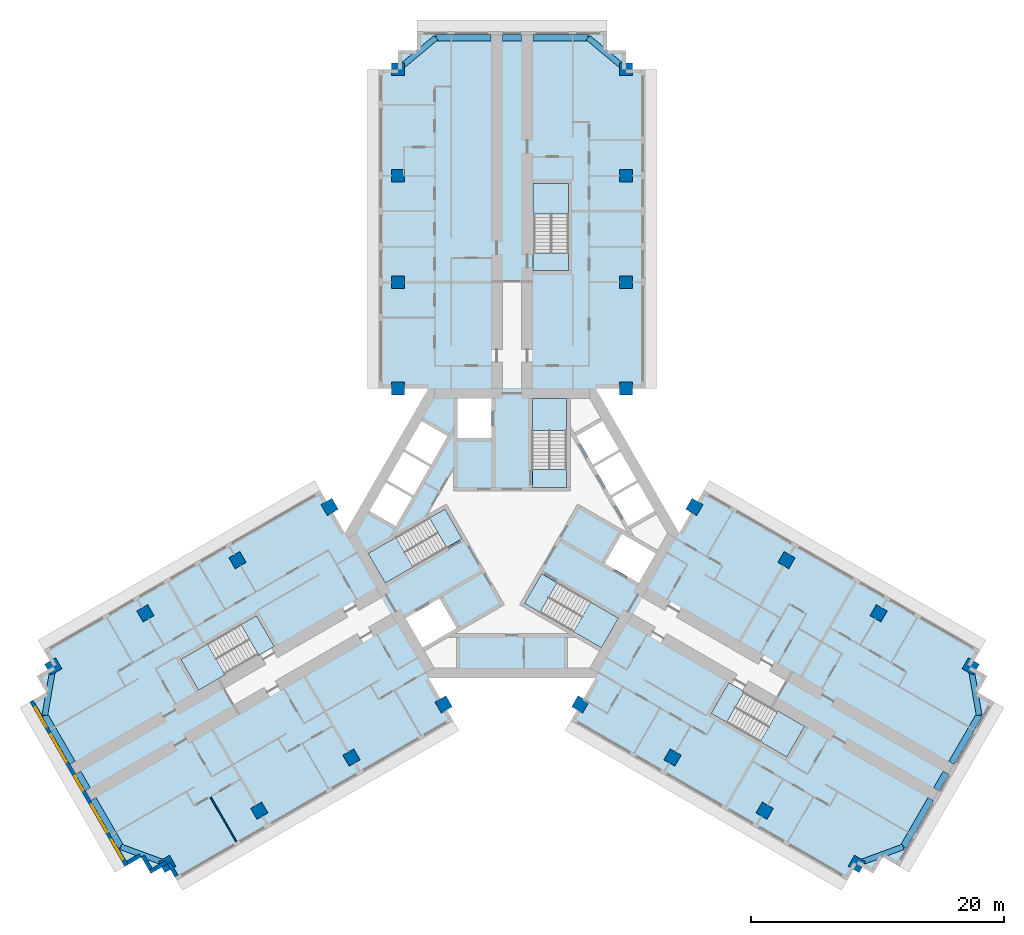
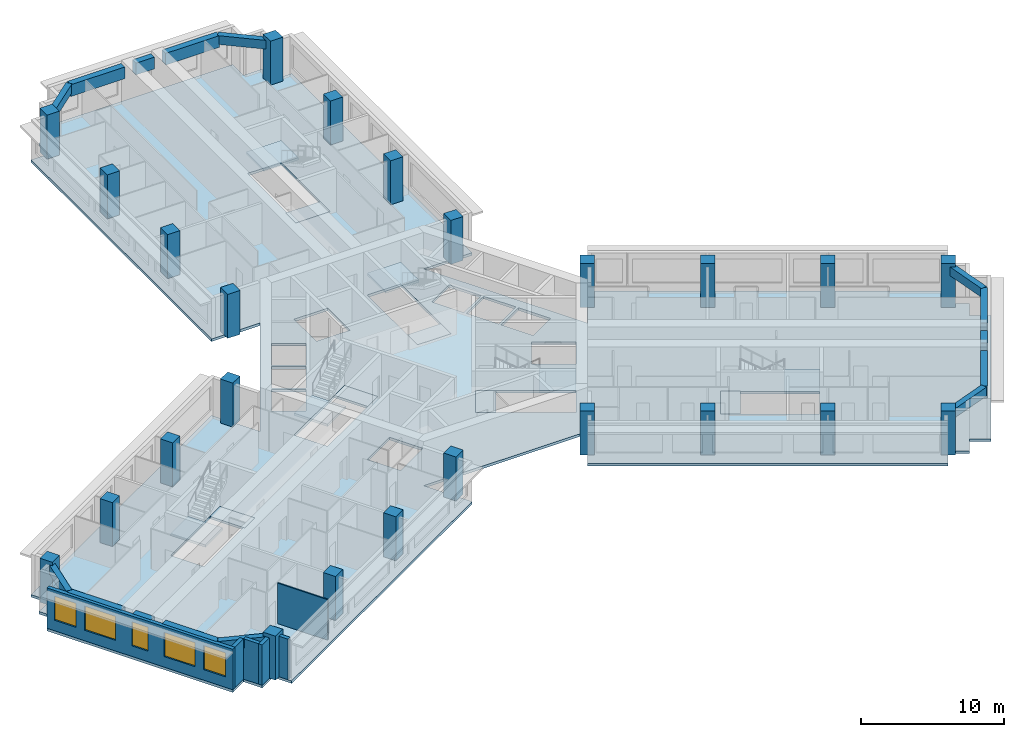
# One storey, part 1 of 12: 24 columns, 15 beams, 13 slabs, 6 walls, 5 windows, 5 openings, 6 elements without a shape of their own.
"""IFC4 building model written with IfcOpenShell, lengths in metres."""

import ifcopenshell
import ifcopenshell.guid

model = None  # the IFC model being written
_history = None  # IfcOwnerHistory: only IFC2X3 demands one
_inside = {}  # id of a spatial element -> (the spatial element, [elements in it])
_under = {}  # id of a project, library or spatial element -> (it, [spatial elements below it])
_declared = {}  # id of a project -> (the project, [libraries it declares])
_typed = {}  # id of a type object -> (the type object, [elements of that type])
_made_of = {}  # id of a material, layer set ... -> (it, [elements and type objects made of it])


def new_model(schema):
    """Start an empty IFC model of exactly this schema.

    Asked for "IFC4X3", IfcOpenShell would pick the latest addendum, in which some entities
    have other attributes; the version numbers below select the first issue.
    IFC2X3 requires an IfcOwnerHistory on every rooted entity: one is made here for all.
    """
    global model, _history
    if schema == "IFC4X3":
        model = ifcopenshell.file(schema_version=(4, 3, 0, 0))
    else:
        model = ifcopenshell.file(schema=schema)
    _inside.clear()
    _under.clear()
    _declared.clear()
    _typed.clear()
    _made_of.clear()
    _history = None
    if model.schema == "IFC2X3":
        org = make("IfcOrganization", Name="unknown")
        user = make(
            "IfcPersonAndOrganization",
            ThePerson=make("IfcPerson", FamilyName="unknown"),
            TheOrganization=org,
        )
        app = make(
            "IfcApplication",
            ApplicationDeveloper=org,
            Version="unknown",
            ApplicationFullName="unknown",
            ApplicationIdentifier="unknown",
        )
        _history = make(
            "IfcOwnerHistory",
            OwningUser=user,
            OwningApplication=app,
            ChangeAction="ADDED",
            CreationDate=0,
        )
    return model


def make(cls, **values):
    """One entity of the class cls with the attributes given. An attribute that is None is left unset."""
    return model.create_entity(
        cls, **{name: value for name, value in values.items() if value is not None}
    )


def rooted(cls, **values):
    """An entity with a GlobalId (a new one), such as an element, a storey or a relation."""
    return make(cls, GlobalId=ifcopenshell.guid.new(), OwnerHistory=_history, **values)


def si_unit(unit_type, name, prefix=None):
    """IfcSIUnit, for example si_unit("LENGTHUNIT", "METRE", prefix="MILLI")."""
    return make("IfcSIUnit", UnitType=unit_type, Prefix=prefix, Name=name)


def assignment(units):
    """IfcUnitAssignment: the units of a project."""
    return None if units is None else make("IfcUnitAssignment", Units=units)


def point(xyz):
    """IfcCartesianPoint."""
    return None if xyz is None else make("IfcCartesianPoint", Coordinates=xyz)


def direction(xyz):
    """IfcDirection."""
    return None if xyz is None else make("IfcDirection", DirectionRatios=xyz)


def frame(location, z_axis=None, x_axis=None):
    """IfcAxis2Placement3D, a coordinate frame: its origin and axes. An axis left out is left unset."""
    return make(
        "IfcAxis2Placement3D",
        Location=point(location),
        Axis=direction(z_axis),
        RefDirection=direction(x_axis),
    )


def frame_2d(location, x_axis=None):
    """IfcAxis2Placement2D, a coordinate frame in the plane: its origin and x axis."""
    return make(
        "IfcAxis2Placement2D", Location=point(location), RefDirection=direction(x_axis)
    )


def origin():
    """The frame at (0, 0, 0) with its axes left unset."""
    return frame((0.0, 0.0, 0.0))


def origin_2d():
    """The frame at (0, 0) in the plane with its x axis left unset."""
    return frame_2d((0.0, 0.0))


def place(relative_to, where):
    """IfcLocalPlacement: puts the frame where relative to a parent placement (None: the world)."""
    return make(
        "IfcLocalPlacement", PlacementRelTo=relative_to, RelativePlacement=where
    )


def context(
    kind, dimensions, precision=None, world=None, true_north=None, identifier=None
):
    """IfcGeometricRepresentationContext, for example the 3D "Model" context."""
    return make(
        "IfcGeometricRepresentationContext",
        ContextIdentifier=identifier,
        ContextType=kind,
        CoordinateSpaceDimension=dimensions,
        Precision=precision,
        WorldCoordinateSystem=world,
        TrueNorth=true_north,
    )


def subcontext(parent, identifier, kind, view, scale=None):
    """IfcGeometricRepresentationSubContext, for example "Body" below "Model"."""
    return make(
        "IfcGeometricRepresentationSubContext",
        ContextIdentifier=identifier,
        ContextType=kind,
        ParentContext=parent,
        TargetScale=scale,
        TargetView=view,
    )


def project(units=None, contexts=None):
    """IfcProject with its units and contexts."""
    return rooted(
        "IfcProject",
        Name="project",
        RepresentationContexts=contexts,
        UnitsInContext=assignment(units),
    )


def spatial(cls, under=None, at=None, **own):
    """A site, building, storey or space (cls), placed at a placement, below another one or the project."""
    s = rooted(cls, ObjectPlacement=at, **own)
    if under is not None:
        _under.setdefault(under.id(), (under, []))[1].append(s)
    return s


def polyline(points):
    """IfcPolyline through the points."""
    return make("IfcPolyline", Points=[point(p) for p in points])


def profile(cls, at=None, kind="AREA", **sizes):
    """A parametric profile (cls). Its sizes go by their IFC names, for example OverallWidth=200.0."""
    return make(cls, ProfileType=kind, Position=at, **sizes)


def rectangle(**sizes):
    """IfcRectangleProfileDef."""
    return profile("IfcRectangleProfileDef", **sizes)


def outline(outer, holes=None, kind="AREA"):
    """IfcArbitraryClosedProfileDef: a profile drawn as a closed curve; with holes, ...WithVoids."""
    if holes is None:
        return make("IfcArbitraryClosedProfileDef", ProfileType=kind, OuterCurve=outer)
    return make(
        "IfcArbitraryProfileDefWithVoids",
        ProfileType=kind,
        OuterCurve=outer,
        InnerCurves=holes,
    )


def extrude(swept, where, along, depth):
    """IfcExtrudedAreaSolid: the profile swept, set in the frame where, extruded along a direction by depth."""
    return make(
        "IfcExtrudedAreaSolid",
        SweptArea=swept,
        Position=where,
        ExtrudedDirection=direction(along),
        Depth=depth,
    )


def shape(context_of_items, identifier, shape_type, items):
    """IfcShapeRepresentation: the items that make up one representation, for example the "Body"."""
    return make(
        "IfcShapeRepresentation",
        ContextOfItems=context_of_items,
        RepresentationIdentifier=identifier,
        RepresentationType=shape_type,
        Items=items,
    )


def material(Name=None, Category=None):
    """IfcMaterial."""
    return make("IfcMaterial", Name=Name, Category=Category)


def layer(
    of_material, thickness, ventilated=None, Name=None, Category=None, Priority=None
):
    """IfcMaterialLayer: one layer of a wall or slab, of a material (None: an air gap)."""
    return make(
        "IfcMaterialLayer",
        Material=of_material,
        LayerThickness=thickness,
        IsVentilated=ventilated,
        Name=Name,
        Category=Category,
        Priority=Priority,
    )


def layer_set(layers, Name=None):
    """IfcMaterialLayerSet."""
    return make("IfcMaterialLayerSet", MaterialLayers=layers, LayerSetName=Name)


def material_profile(
    of_material, cross_section, Name=None, Category=None, Priority=None
):
    """IfcMaterialProfile: a cross section and its material."""
    return make(
        "IfcMaterialProfile",
        Name=Name,
        Material=of_material,
        Profile=cross_section,
        Priority=Priority,
        Category=Category,
    )


def profile_set(profiles, Name=None, composite=None):
    """IfcMaterialProfileSet."""
    return make(
        "IfcMaterialProfileSet",
        Name=Name,
        MaterialProfiles=profiles,
        CompositeProfile=composite,
    )


def made_of(thing, what):
    """Note that an element or type object is made of a material, layer set ...; save() writes the relation."""
    if what is not None:
        _made_of.setdefault(what.id(), (what, []))[1].append(thing)
    return thing


def type_object(cls, material=None, **own):
    """A type object (cls), such as IfcWallType, which elements share."""
    return made_of(rooted(cls, **own), material)


def element(
    cls,
    number,
    at=None,
    inside=None,
    cuts=None,
    type_object=None,
    material=None,
    context=None,
    identifier="Body",
    shape_type=None,
    held_by="IfcProductDefinitionShape",
    body=None,
    shapes=None,
    **own,
):
    """One element of the class cls, such as IfcWall. Its Tag is "e" and its number.

    at: its placement. inside: the storey or other place that contains it. cuts: it is an
    opening in that element (IfcRelVoidsElement). A single representation is given by context,
    identifier, shape_type and body (its items); several are given by shapes. held_by: the class
    of the entity that holds the representations. save() writes the other relations.
    """
    e = rooted(cls, Tag="e%d" % number, ObjectPlacement=at, **own)
    if body is not None:
        shapes = [shape(context, identifier, shape_type, body)]
    if shapes is not None:
        e.Representation = make(held_by, Representations=shapes)
    if inside is not None:
        _inside.setdefault(inside.id(), (inside, []))[1].append(e)
    if cuts is not None:
        rooted(
            "IfcRelVoidsElement", RelatingBuildingElement=cuts, RelatedOpeningElement=e
        )
    if type_object is not None:
        _typed.setdefault(type_object.id(), (type_object, []))[1].append(e)
    return made_of(e, material)


def fill(opening, filler):
    """IfcRelFillsElement: the door or window that sits in an opening."""
    return rooted(
        "IfcRelFillsElement",
        RelatingOpeningElement=opening,
        RelatedBuildingElement=filler,
    )


def aggregate(whole, parts):
    """IfcRelAggregates: a whole, such as a stair, and the parts it consists of."""
    return rooted("IfcRelAggregates", RelatingObject=whole, RelatedObjects=parts)


def save(model, path):
    """Write the relations noted so far, then the file.

    IfcRelAggregates (storeys below a building ...), IfcRelContainedInSpatialStructure (elements
    in a storey), IfcRelDefinesByType, IfcRelAssociatesMaterial and IfcRelDeclares: one each for
    every whole, place, type object, material and project.
    """
    for whole, parts in _under.values():
        aggregate(whole, parts)
    for where, things in _inside.values():
        rooted(
            "IfcRelContainedInSpatialStructure",
            RelatedElements=things,
            RelatingStructure=where,
        )
    for kind, things in _typed.values():
        rooted("IfcRelDefinesByType", RelatedObjects=things, RelatingType=kind)
    for what, things in _made_of.values():
        rooted("IfcRelAssociatesMaterial", RelatedObjects=things, RelatingMaterial=what)
    for by, libraries in _declared.values():
        rooted("IfcRelDeclares", RelatingContext=by, RelatedDefinitions=libraries)
    model.write(path)


model = new_model("IFC4")

# Units and contexts
model_context = context("Model", 3, precision=1e-05, world=origin(), true_north=direction((0.0, 1.0)))
body_context = subcontext(model_context, "Body", "Model", "MODEL_VIEW")
ifc_project = project(units=[si_unit("LENGTHUNIT", "METRE"), si_unit("AREAUNIT", "SQUARE_METRE"), si_unit("VOLUMEUNIT", "CUBIC_METRE"), si_unit("PLANEANGLEUNIT", "RADIAN"), si_unit("MASSUNIT", "GRAM", prefix="KILO")], contexts=[model_context])

# Site, building, storey
site_placement = place(None, origin())
site = spatial("IfcSite", under=ifc_project, at=site_placement, CompositionType="ELEMENT")
building_placement = place(site_placement, origin())
building = spatial("IfcBuilding", under=site, at=building_placement, Name="Impinga Residences", CompositionType="ELEMENT")
storey_placement = place(building_placement, frame((0.0, 0.0, 177.25)))
storey = spatial("IfcBuildingStorey", under=building, at=storey_placement, Name="L44", CompositionType="ELEMENT", Elevation=177.25)

# Columns
ifc_material_1 = material(Name="Concrete C60/75", Category="concrete")
ifc_material_profile_1 = material_profile(ifc_material_1, rectangle(XDim=1.0, YDim=1.0, at=origin_2d()), Name="RC 1000x1000")
ifc_profile_set_1 = profile_set([ifc_material_profile_1], Name="Concrete C60/75")
column_type = type_object("IfcColumnType", Name="C3 1000x1000 column", PredefinedType="COLUMN", material=ifc_profile_set_1)
for number, where, z_axis, x_axis, name in (
    (1, (-9.0, 11.431640625, 0.0), (0.0, 0.0, 1.0), (1.0, 0.0, 0.0), "Column C3 N1/NA L44"),
    (2, (9.0, 11.431640625, 0.0), (0.0, 0.0, 1.0), (1.0, 0.0, 0.0), "Column C3 N1/NF L44"),
    (3, (-9.0, 19.83154296875, 0.0), (0.0, 0.0, 1.0), (1.0, 0.0, 0.0), "Column C3 N2/NA L44"),
    (4, (9.0, 19.83154296875, 0.0), (0.0, 0.0, 1.0), (1.0, 0.0, 0.0), "Column C3 N2/NF L44"),
    (5, (-9.0, 28.2314453125, 0.0), (0.0, 0.0, 1.0), (1.0, 0.0, 0.0), "Column C3 N3/NA L44"),
    (6, (9.0, 28.2314453125, 0.0), (0.0, 0.0, 1.0), (1.0, 0.0, 0.0), "Column C3 N3/NF L44"),
    (7, (-9.0, 36.631591796875, 0.0), (0.0, 0.0, 1.0), (1.0, 0.0, 0.0), "Column C3 N4/NA L44"),
    (8, (9.0, 36.631591796875, 0.0), (0.0, 0.0, 1.0), (1.0, 0.0, 0.0), "Column C3 N4/NF L44"),
    (9, (-5.39990234375, -13.510009765625, 0.0), (0.0, 0.0, 1.0), (-0.5, 0.866025403784, 0.0), "Column C3 W1/WA L44"),
    (10, (-14.39990234375, 2.078369140625, 0.0), (0.0, 0.0, 1.0), (-0.5, 0.866025403784, 0.0), "Column C3 W1/WF L44"),
    (11, (-12.674560546875, -17.7099609375, 0.0), (0.0, 0.0, 1.0), (-0.5, 0.866025403784, 0.0), "Column C3 W2/WA L44"),
    (12, (-21.674560546875, -2.12158203125, 0.0), (0.0, 0.0, 1.0), (-0.5, 0.866025403784, 0.0), "Column C3 W2/WF L44"),
    (13, (-19.94921875, -21.909912109375, 0.0), (0.0, 0.0, 1.0), (-0.5, 0.866025403784, 0.0), "Column C3 W3/WA L44"),
    (14, (-28.94921875, -6.321533203125, 0.0), (0.0, 0.0, 1.0), (-0.5, 0.866025403784, 0.0), "Column C3 W3/WF L44"),
    (15, (-27.223876953125, -26.110107421875, 0.0), (0.0, 0.0, 1.0), (-0.5, 0.866025403784, 0.0), "Column C3 W4/WA L44"),
    (16, (-36.223876953125, -10.521484375, 0.0), (0.0, 0.0, 1.0), (-0.5, 0.866025403784, 0.0), "Column C3 W4/WF L44"),
    (17, (14.39990234375, 2.078369140625, 0.0), (0.0, 0.0, 1.0), (-0.5, -0.866025403784, 0.0), "Column C3 E1/EA L44"),
    (18, (5.39990234375, -13.510009765625, 0.0), (0.0, 0.0, 1.0), (-0.5, -0.866025403784, 0.0), "Column C3 E1/EF L44"),
    (19, (21.674560546875, -2.12158203125, 0.0), (0.0, 0.0, 1.0), (-0.5, -0.866025403784, 0.0), "Column C3 E2/EA L44"),
    (20, (12.674560546875, -17.7099609375, 0.0), (0.0, 0.0, 1.0), (-0.5, -0.866025403784, 0.0), "Column C3 E2/EF L44"),
    (21, (28.94921875, -6.321533203125, 0.0), (0.0, 0.0, 1.0), (-0.5, -0.866025403784, 0.0), "Column C3 E3/EA L44"),
    (22, (19.94921875, -21.909912109375, 0.0), (0.0, 0.0, 1.0), (-0.5, -0.866025403784, 0.0), "Column C3 E3/EF L44"),
    (23, (36.223876953125, -10.521484375, 0.0), (0.0, 0.0, 1.0), (-0.5, -0.866025403784, 0.0), "Column C3 E4/EA L44"),
    (24, (27.223876953125, -26.110107421875, 0.0), (0.0, 0.0, 1.0), (-0.5, -0.866025403784, 0.0), "Column C3 E4/EF L44"),
):
    element("IfcColumn", number, at=place(storey_placement, frame(where, z_axis=z_axis, x_axis=x_axis)), inside=storey, type_object=column_type, Name=name, PredefinedType="COLUMN", context=body_context, shape_type="SweptSolid", body=[
        extrude(rectangle(XDim=1.0, YDim=1.0, at=origin_2d()), origin(), (0.0, 0.0, 1.0), 3.75),
    ])

# Beams
ifc_material_profile_2 = material_profile(ifc_material_1, rectangle(XDim=0.449951171875, YDim=0.75, at=origin_2d()), Name="RC 450x750")
ifc_profile_set_2 = profile_set([ifc_material_profile_2], Name="Concrete C60/75")
beam_type_1 = type_object("IfcBeamType", Name="CB1 450x750 wing end cantilever beam", PredefinedType="BEAM", material=ifc_profile_set_2)
for number, where, z_axis, x_axis, name in (
    (25, (-9.0, 36.631591796875, 3.074951171875), (0.768221279597, 0.640184399664, 0.0), (-0.640184399664, 0.768221279597, 0.0), "Beam CB1 NB N4-NX level L45"),
    (26, (9.0, 36.631591796875, 3.074951171875), (-0.768221279597, 0.640184399664, 0.0), (-0.640184399664, -0.768221279597, 0.0), "Beam CB1 NE N4-NX level L45"),
    (27, (-27.223876953125, -26.110107421875, 3.074951171875), (-0.938520178725, 0.345224382289, 0.0), (-0.345224382289, -0.938520178725, 0.0), "Beam CB1 WB W4-WX level L45"),
):
    element("IfcBeam", number, at=place(storey_placement, frame(where, z_axis=z_axis, x_axis=x_axis)), inside=storey, type_object=beam_type_1, Name=name, PredefinedType="BEAM", context=body_context, shape_type="SweptSolid", body=[
        extrude(rectangle(XDim=0.449951171875, YDim=0.75, at=origin_2d()), origin(), (0.0, 0.0, 1.0), 3.905029296875),
    ])
for number, where, z_axis, x_axis, name in (
    (28, (-36.223876953125, -10.521484375, 3.074951171875), (-0.170296298948, -0.985392901621, 0.0), (0.985392901621, -0.170296298948, 0.0), "Beam CB1 WE W4-WX level L45"),
    (29, (36.223876953125, -10.521484375, 3.074951171875), (0.170296298948, -0.985392901621, 0.0), (0.985392901621, 0.170296298948, 0.0), "Beam CB1 EB E4-EX level L45"),
):
    element("IfcBeam", number, at=place(storey_placement, frame(where, z_axis=z_axis, x_axis=x_axis)), inside=storey, type_object=beam_type_1, Name=name, PredefinedType="BEAM", context=body_context, shape_type="SweptSolid", body=[
        extrude(rectangle(XDim=0.449951171875, YDim=0.75, at=origin_2d()), origin(), (0.0, 0.0, 1.0), 3.9052734375),
    ])
beam_1_placement = place(storey_placement, frame((27.223876953125, -26.110107421875, 3.074951171875), z_axis=(0.938520178725, 0.345224382289, 0.0), x_axis=(-0.345224382289, 0.938520178725, 0.0)))
element("IfcBeam", 30, at=beam_1_placement, inside=storey, type_object=beam_type_1, Name="Beam CB1 EE E4-EX level L45", PredefinedType="BEAM", context=body_context, shape_type="SweptSolid", body=[
    extrude(rectangle(XDim=0.449951171875, YDim=0.75, at=origin_2d()), origin(), (0.0, 0.0, 1.0), 3.905029296875),
])
ifc_material_profile_3 = material_profile(ifc_material_1, rectangle(XDim=0.5, YDim=1.0, at=origin_2d()), Name="RC 500x1000")
ifc_profile_set_3 = profile_set([ifc_material_profile_3], Name="Concrete C60/75")
beam_type_2 = type_object("IfcBeamType", Name="EB1 500x1000 wing end beam", PredefinedType="BEAM", material=ifc_profile_set_3)
beam_2_placement = place(storey_placement, frame((-6.0, 39.131591796875, 2.949951171875), z_axis=(1.0, 0.0, 0.0), x_axis=(0.0, 1.0, 0.0)))
element("IfcBeam", 31, at=beam_2_placement, inside=storey, type_object=beam_type_2, Name="Beam EB1 NX3 level L45", PredefinedType="BEAM", context=body_context, shape_type="SweptSolid", body=[
    extrude(rectangle(XDim=0.5, YDim=1.0, at=origin_2d()), origin(), (0.0, 0.0, 1.0), 4.35009765625),
])
beam_3_placement = place(storey_placement, frame((-0.75, 39.131591796875, 2.949951171875), z_axis=(1.0, 0.0, 0.0), x_axis=(0.0, 1.0, 0.0)))
element("IfcBeam", 32, at=beam_3_placement, inside=storey, type_object=beam_type_2, Name="Beam EB1 NX3 level L45", PredefinedType="BEAM", context=body_context, shape_type="SweptSolid", body=[
    extrude(rectangle(XDim=0.5, YDim=1.0, at=origin_2d()), origin(), (0.0, 0.0, 1.0), 1.5),
])
for number, where, z_axis, x_axis, name in (
    (33, (1.64990234375, 39.131591796875, 2.949951171875), (1.0, 0.0, 0.0), (0.0, 1.0, 0.0), "Beam EB1 NX3 level L45"),
    (34, (-30.888916015625, -24.761962890625, 2.949951171875), (-0.499996127374, 0.866027639635, 0.0), (-0.866027639635, -0.499996127374, 0.0), "Beam EB1 WX3 level L45"),
):
    element("IfcBeam", number, at=place(storey_placement, frame(where, z_axis=z_axis, x_axis=x_axis)), inside=storey, type_object=beam_type_2, Name=name, PredefinedType="BEAM", context=body_context, shape_type="SweptSolid", body=[
        extrude(rectangle(XDim=0.5, YDim=1.0, at=origin_2d()), origin(), (0.0, 0.0, 1.0), 4.35009765625),
    ])
beam_4_placement = place(storey_placement, frame((-33.513916015625, -20.21533203125, 2.949951171875), z_axis=(-0.499990139034, 0.866031096941, 0.0), x_axis=(-0.866031096941, -0.499990139034, 0.0)))
element("IfcBeam", 35, at=beam_4_placement, inside=storey, type_object=beam_type_2, Name="Beam EB1 WX3 level L45", PredefinedType="BEAM", context=body_context, shape_type="SweptSolid", body=[
    extrude(rectangle(XDim=0.5, YDim=1.0, at=origin_2d()), origin(), (0.0, 0.0, 1.0), 1.5),
])
for number, where, z_axis, x_axis, name in (
    (36, (-34.7138671875, -18.13671875, 2.949951171875), (-0.500020430026, 0.866013608182, 0.0), (-0.866013608182, -0.500020430026, 0.0), "Beam EB1 WX3 level L45"),
    (37, (36.888916015625, -14.36962890625, 2.949951171875), (-0.500020430026, -0.866013608182, 0.0), (0.866013608182, -0.500020430026, 0.0), "Beam EB1 EX3 level L45"),
):
    element("IfcBeam", number, at=place(storey_placement, frame(where, z_axis=z_axis, x_axis=x_axis)), inside=storey, type_object=beam_type_2, Name=name, PredefinedType="BEAM", context=body_context, shape_type="SweptSolid", body=[
        extrude(rectangle(XDim=0.5, YDim=1.0, at=origin_2d()), origin(), (0.0, 0.0, 1.0), 4.349853515625),
    ])
beam_5_placement = place(storey_placement, frame((34.263916015625, -18.916259765625, 2.949951171875), z_axis=(-0.499990139034, -0.866031096941, 0.0), x_axis=(0.866031096941, -0.499990139034, 0.0)))
element("IfcBeam", 38, at=beam_5_placement, inside=storey, type_object=beam_type_2, Name="Beam EB1 EX3 level L45", PredefinedType="BEAM", context=body_context, shape_type="SweptSolid", body=[
    extrude(rectangle(XDim=0.5, YDim=1.0, at=origin_2d()), origin(), (0.0, 0.0, 1.0), 1.5),
])
beam_6_placement = place(storey_placement, frame((33.06396484375, -20.99462890625, 2.949951171875), z_axis=(-0.499996127374, -0.866027639635, 0.0), x_axis=(0.866027639635, -0.499996127374, 0.0)))
element("IfcBeam", 39, at=beam_6_placement, inside=storey, type_object=beam_type_2, Name="Beam EB1 EX3 level L45", PredefinedType="BEAM", context=body_context, shape_type="SweptSolid", body=[
    extrude(rectangle(XDim=0.5, YDim=1.0, at=origin_2d()), origin(), (0.0, 0.0, 1.0), 4.35009765625),
])

# Slab
ifc_layer_1 = layer(ifc_material_1, 0.219970703125)
ifc_layer_set_1 = layer_set([ifc_layer_1], Name="Concrete C60/75")
slab_type_1 = type_object("IfcSlabType", Name="FS1 tower floor slab 220", PredefinedType="FLOOR", material=ifc_layer_set_1)
slab_1_placement = place(storey_placement, frame((0.0, 0.0, -0.219970703125)))
element("IfcSlab", 40, at=slab_1_placement, inside=storey, type_object=slab_type_1, Name="Floor slab FS1 L44", PredefinedType="FLOOR", context=body_context, shape_type="SweptSolid", body=[
    extrude(outline(polyline([(-27.223876953125, -26.110107421875), (-28.52294921875, -26.860107421875), (-29.27294921875, -25.56103515625), (-30.572021484375, -26.31103515625), (-38.072021484375, -13.320556640625), (-36.77294921875, -12.570556640625), (-37.52294921875, -11.271484375), (-36.223876953125, -10.521484375), (-36.973876953125, -9.222412109375), (-15.14990234375, 3.37744140625), (-13.199951171875, 0.0), (-6.60009765625, 11.431640625), (-10.5, 11.431640625), (-10.5, 36.631591796875), (-9.0, 36.631591796875), (-9.0, 38.131591796875), (-7.5, 38.131591796875), (-7.5, 39.631591796875), (7.5, 39.631591796875), (7.5, 38.131591796875), (9.0, 38.131591796875), (9.0, 36.631591796875), (10.5, 36.631591796875), (10.5, 11.431640625), (6.60009765625, 11.431640625), (13.199951171875, 0.0), (15.14990234375, 3.37744140625), (36.973876953125, -9.222412109375), (36.223876953125, -10.521484375), (37.52294921875, -11.271484375), (36.77294921875, -12.570556640625), (38.072021484375, -13.320556640625), (30.572021484375, -26.31103515625), (29.27294921875, -25.56103515625), (28.52294921875, -26.860107421875), (27.223876953125, -26.110107421875), (26.473876953125, -27.408935546875), (4.64990234375, -14.80908203125), (9.900146484375, -5.7158203125), (6.60009765625, -11.431640625), (-6.60009765625, -11.431640625), (-9.900146484375, -5.7158203125), (-4.64990234375, -14.80908203125), (-26.473876953125, -27.408935546875), (-27.223876953125, -26.110107421875)]), holes=[polyline([(-18.779052734375, -8.936767578125), (-18.8291015625, -8.850341796875), (-18.8291015625, -8.850341796875), (-20.178955078125, -6.511962890625), (-21.391357421875, -7.2119140625), (-21.391357421875, -7.2119140625), (-26.154541015625, -9.9619140625), (-24.8046875, -12.30029296875), (-20.04150390625, -9.55029296875), (-19.991455078125, -9.63671875), (-18.779052734375, -8.936767578125)]), polyline([(-4.37109375, -7.489013671875), (-5.72119140625, -5.150634765625), (-8.4072265625, -6.701416015625), (-7.05712890625, -9.039794921875), (-4.37109375, -7.489013671875)]), polyline([(-3.943603515625, -0.429443359375), (-5.293701171875, 1.908935546875), (-11.357177734375, -1.591796875), (-10.007080078125, -3.93017578125), (-3.943603515625, -0.429443359375)]), polyline([(-7.878662109375, 2.816650390625), (-9.957275390625, 4.016845703125), (-11.257080078125, 1.76513671875), (-9.1787109375, 0.56494140625), (-7.878662109375, 2.816650390625)]), polyline([(-6.478759765625, 5.24169921875), (-8.55712890625, 6.441650390625), (-9.857177734375, 4.18994140625), (-7.77880859375, 2.989990234375), (-6.478759765625, 5.24169921875)]), polyline([(4.300048828125, 3.6298828125), (4.300048828125, 10.631591796875), (1.60009765625, 10.631591796875), (1.60009765625, 3.6298828125), (4.300048828125, 3.6298828125)]), polyline([(-6.378662109375, 5.414794921875), (-5.07861328125, 7.66650390625), (-7.1572265625, 8.866455078125), (-8.457275390625, 6.61474609375), (-6.378662109375, 5.414794921875)]), polyline([(-4.300048828125, 7.530029296875), (-1.60009765625, 7.530029296875), (-1.60009765625, 10.631591796875), (-4.300048828125, 10.631591796875), (-4.300048828125, 7.530029296875)]), polyline([(4.449951171875, 20.7314453125), (4.449951171875, 22.131591796875), (4.449951171875, 27.631591796875), (1.75, 27.631591796875), (1.75, 22.131591796875), (1.64990234375, 22.131591796875), (1.64990234375, 20.7314453125), (1.75, 20.7314453125), (4.449951171875, 20.7314453125)]), polyline([(15.72900390625, -14.219482421875), (21.70458984375, -17.669677734375), (23.0546875, -15.331298828125), (18.29150390625, -12.581298828125), (18.341552734375, -12.49462890625), (17.129150390625, -11.794677734375), (15.72900390625, -14.219482421875)]), polyline([(2.34375, -3.20068359375), (0.99365234375, -5.538818359375), (7.05712890625, -9.039794921875), (8.4072265625, -6.701416015625), (2.34375, -3.20068359375)]), polyline([(7.3212890625, -2.37939453125), (10.007080078125, -3.93017578125), (11.357177734375, -1.591796875), (8.671142578125, -0.041015625), (7.3212890625, -2.37939453125)]), polyline([(7.878662109375, 2.816650390625), (9.1787109375, 0.56494140625), (11.257080078125, 1.76513671875), (9.957275390625, 4.016845703125), (7.878662109375, 2.816650390625)]), polyline([(6.478759765625, 5.24169921875), (7.77880859375, 2.989990234375), (9.857177734375, 4.18994140625), (8.55712890625, 6.441650390625), (6.478759765625, 5.24169921875)]), polyline([(6.378662109375, 5.414794921875), (8.457275390625, 6.61474609375), (7.1572265625, 8.866455078125), (5.07861328125, 7.66650390625), (6.378662109375, 5.414794921875)])]), origin(), (0.0, 0.0, 1.0), 0.219970703125),
])

# Stair, slabs
ifc_material_2 = material(Name="Concrete C40/50", Category="concrete")
stair_type_1 = type_object("IfcStairType", Name="STR core stair 3750 storey, 24 risers", PredefinedType="HALF_TURN_STAIR", material=ifc_material_2)
stair_1_placement = place(storey_placement, origin())
stair_1 = element("IfcStair", 41, at=stair_1_placement, inside=storey, type_object=stair_type_1, Name="Stair ST1 L44", PredefinedType="HALF_TURN_STAIR")
ifc_layer_2 = layer(ifc_material_2, 0.199951171875)
ifc_layer_set_2 = layer_set([ifc_layer_2], Name="Concrete C40/50")
slab_type_2 = type_object("IfcSlabType", Name="LS1 stair landing 200", PredefinedType="LANDING", material=ifc_layer_set_2)
slab_2_placement = place(storey_placement, frame((0.0, 0.0, -0.199951171875)))
slab_2 = element("IfcSlab", 42, at=slab_2_placement, type_object=slab_type_2, Name="ST1 landing 1", PredefinedType="LANDING", context=body_context, shape_type="SweptSolid", body=[
    extrude(outline(polyline([(1.60009765625, 3.6298828125), (4.300048828125, 3.6298828125), (4.300048828125, 5.0400390625), (1.60009765625, 5.0400390625), (1.60009765625, 3.6298828125)])), origin(), (0.0, 0.0, 1.0), 0.199951171875),
])
slab_3_placement = place(storey_placement, frame((0.0, 0.0, 1.675048828125)))
slab_3 = element("IfcSlab", 43, at=slab_3_placement, type_object=slab_type_2, Name="ST1 landing 2", PredefinedType="LANDING", context=body_context, shape_type="SweptSolid", body=[
    extrude(outline(polyline([(1.60009765625, 8.10009765625), (4.300048828125, 8.10009765625), (4.300048828125, 10.631591796875), (1.60009765625, 10.631591796875), (1.60009765625, 8.10009765625)])), origin(), (0.0, 0.0, 1.0), 0.199951171875),
])
aggregate(stair_1, [slab_2, slab_3])

stair_2_placement = place(storey_placement, origin())
stair_2 = element("IfcStair", 44, at=stair_2_placement, inside=storey, type_object=stair_type_1, Name="Stair ST2 L44", PredefinedType="HALF_TURN_STAIR")
slab_4_placement = place(storey_placement, frame((0.0, 0.0, -0.199951171875)))
slab_4 = element("IfcSlab", 45, at=slab_4_placement, type_object=slab_type_2, Name="ST2 landing 1", PredefinedType="LANDING", context=body_context, shape_type="SweptSolid", body=[
    extrude(outline(polyline([(-3.943603515625, -0.429443359375), (-5.293701171875, 1.908935546875), (-6.5146484375, 1.203857421875), (-5.164794921875, -1.13427734375), (-3.943603515625, -0.429443359375)])), origin(), (0.0, 0.0, 1.0), 0.199951171875),
])
slab_5_placement = place(storey_placement, frame((0.0, 0.0, 1.675048828125)))
slab_5 = element("IfcSlab", 46, at=slab_5_placement, type_object=slab_type_2, Name="ST2 landing 2", PredefinedType="LANDING", context=body_context, shape_type="SweptSolid", body=[
    extrude(outline(polyline([(-7.814697265625, -2.664306640625), (-9.164794921875, -0.326171875), (-11.357177734375, -1.591796875), (-10.007080078125, -3.93017578125), (-7.814697265625, -2.664306640625)])), origin(), (0.0, 0.0, 1.0), 0.199951171875),
])
aggregate(stair_2, [slab_4, slab_5])

stair_3_placement = place(storey_placement, origin())
stair_3 = element("IfcStair", 47, at=stair_3_placement, inside=storey, type_object=stair_type_1, Name="Stair ST3 L44", PredefinedType="HALF_TURN_STAIR")
slab_6_placement = place(storey_placement, frame((0.0, 0.0, -0.199951171875)))
slab_6 = element("IfcSlab", 48, at=slab_6_placement, type_object=slab_type_2, Name="ST3 landing 1", PredefinedType="LANDING", context=body_context, shape_type="SweptSolid", body=[
    extrude(outline(polyline([(2.34375, -3.20068359375), (0.99365234375, -5.538818359375), (2.21484375, -6.243896484375), (3.564697265625, -3.90576171875), (2.34375, -3.20068359375)])), origin(), (0.0, 0.0, 1.0), 0.199951171875),
])
slab_7_placement = place(storey_placement, frame((0.0, 0.0, 1.675048828125)))
slab_7 = element("IfcSlab", 49, at=slab_7_placement, type_object=slab_type_2, Name="ST3 landing 2", PredefinedType="LANDING", context=body_context, shape_type="SweptSolid", body=[
    extrude(outline(polyline([(6.21484375, -5.435546875), (4.86474609375, -7.77392578125), (7.05712890625, -9.039794921875), (8.4072265625, -6.701416015625), (6.21484375, -5.435546875)])), origin(), (0.0, 0.0, 1.0), 0.199951171875),
])
aggregate(stair_3, [slab_6, slab_7])

stair_type_2 = type_object("IfcStairType", Name="STR wing stair 3750 storey, 24 risers", PredefinedType="HALF_TURN_STAIR", material=ifc_material_2)
stair_4_placement = place(storey_placement, origin())
stair_4 = element("IfcStair", 50, at=stair_4_placement, inside=storey, type_object=stair_type_2, Name="Stair WS1 L44", PredefinedType="HALF_TURN_STAIR")
slab_8_placement = place(storey_placement, frame((0.0, 0.0, -0.199951171875)))
slab_8 = element("IfcSlab", 51, at=slab_8_placement, type_object=slab_type_2, Name="WS1 landing 1", PredefinedType="LANDING", context=body_context, shape_type="SweptSolid", body=[
    extrude(outline(polyline([(1.64990234375, 20.7314453125), (4.449951171875, 20.7314453125), (4.449951171875, 22.1416015625), (1.64990234375, 22.1416015625), (1.64990234375, 20.7314453125)])), origin(), (0.0, 0.0, 1.0), 0.199951171875),
])
slab_9_placement = place(storey_placement, frame((0.0, 0.0, 1.675048828125)))
slab_9 = element("IfcSlab", 52, at=slab_9_placement, type_object=slab_type_2, Name="WS1 landing 2", PredefinedType="LANDING", context=body_context, shape_type="SweptSolid", body=[
    extrude(outline(polyline([(1.64990234375, 25.201416015625), (4.449951171875, 25.201416015625), (4.449951171875, 27.631591796875), (1.64990234375, 27.631591796875), (1.64990234375, 25.201416015625)])), origin(), (0.0, 0.0, 1.0), 0.199951171875),
])
aggregate(stair_4, [slab_8, slab_9])

stair_5_placement = place(storey_placement, origin())
stair_5 = element("IfcStair", 53, at=stair_5_placement, inside=storey, type_object=stair_type_2, Name="Stair WS2 L44", PredefinedType="HALF_TURN_STAIR")
slab_10_placement = place(storey_placement, frame((0.0, 0.0, -0.199951171875)))
slab_10 = element("IfcSlab", 54, at=slab_10_placement, type_object=slab_type_2, Name="WS2 landing 1", PredefinedType="LANDING", context=body_context, shape_type="SweptSolid", body=[
    extrude(outline(polyline([(-18.779052734375, -8.936767578125), (-20.178955078125, -6.511962890625), (-21.400146484375, -7.217041015625), (-20.000244140625, -9.641845703125), (-18.779052734375, -8.936767578125)])), origin(), (0.0, 0.0, 1.0), 0.199951171875),
])
slab_11_placement = place(storey_placement, frame((0.0, 0.0, 1.675048828125)))
slab_11 = element("IfcSlab", 55, at=slab_11_placement, type_object=slab_type_2, Name="WS2 landing 2", PredefinedType="LANDING", context=body_context, shape_type="SweptSolid", body=[
    extrude(outline(polyline([(-22.650146484375, -11.171875), (-24.050048828125, -8.7470703125), (-26.154541015625, -9.9619140625), (-24.754638671875, -12.38671875), (-22.650146484375, -11.171875)])), origin(), (0.0, 0.0, 1.0), 0.199951171875),
])
aggregate(stair_5, [slab_10, slab_11])

stair_6_placement = place(storey_placement, origin())
stair_6 = element("IfcStair", 56, at=stair_6_placement, inside=storey, type_object=stair_type_2, Name="Stair WS3 L44", PredefinedType="HALF_TURN_STAIR")
slab_12_placement = place(storey_placement, frame((0.0, 0.0, -0.199951171875)))
slab_12 = element("IfcSlab", 57, at=slab_12_placement, type_object=slab_type_2, Name="WS3 landing 1", PredefinedType="LANDING", context=body_context, shape_type="SweptSolid", body=[
    extrude(outline(polyline([(17.129150390625, -11.794677734375), (15.72900390625, -14.219482421875), (16.9501953125, -14.924560546875), (18.35009765625, -12.499755859375), (17.129150390625, -11.794677734375)])), origin(), (0.0, 0.0, 1.0), 0.199951171875),
])
slab_13_placement = place(storey_placement, frame((0.0, 0.0, 1.675048828125)))
slab_13 = element("IfcSlab", 58, at=slab_13_placement, type_object=slab_type_2, Name="WS3 landing 2", PredefinedType="LANDING", context=body_context, shape_type="SweptSolid", body=[
    extrude(outline(polyline([(21.000244140625, -14.02978515625), (19.60009765625, -16.45458984375), (21.70458984375, -17.669677734375), (23.1044921875, -15.24462890625), (21.000244140625, -14.02978515625)])), origin(), (0.0, 0.0, 1.0), 0.199951171875),
])
aggregate(stair_6, [slab_12, slab_13])

# Walls
ifc_material_3 = material(Name="Terracotta rainscreen on blockwork", Category="masonry")
ifc_layer_3 = layer(ifc_material_3, 0.300048828125)
ifc_layer_set_3 = layer_set([ifc_layer_3], Name="EW1 external wall, terracotta rainscreen on blockwork 300")
wall_type_1 = type_object("IfcWallType", Name="EW1 external wall, terracotta rainscreen on blockwork 300", PredefinedType="SOLIDWALL", material=ifc_layer_set_3)
wall_1_placement = place(storey_placement, frame((-26.493896484375, -27.07421875, 0.0), z_axis=(0.0, 0.0, 1.0), x_axis=(-0.500033551112, 0.866006032174, 0.0)))
element("IfcWall", 59, at=wall_1_placement, inside=storey, type_object=wall_type_1, Name="External wall EW1 L44", PredefinedType="SOLIDWALL", context=body_context, shape_type="SweptSolid", body=[
    extrude(rectangle(XDim=1.2001953125, YDim=0.300048828125, at=frame_2d((0.60009765625, 0.0))), origin(), (0.0, 0.0, 1.0), 3.449951171875),
])
wall_2_placement = place(storey_placement, frame((-27.30322265625, -25.982666015625, 0.0), z_axis=(0.0, 0.0, 1.0), x_axis=(-0.866074087889, -0.499915667175, 0.0)))
element("IfcWall", 60, at=wall_2_placement, inside=storey, type_object=wall_type_1, Name="External wall EW1 L44", PredefinedType="SOLIDWALL", context=body_context, shape_type="SweptSolid", body=[
    extrude(rectangle(XDim=1.494873046875, YDim=0.300048828125, at=frame_2d((0.74755859375, 0.0))), origin(), (0.0, 0.0, 1.0), 3.449951171875),
])
wall_3_placement = place(storey_placement, frame((-28.54296875, -26.525146484375, 0.0), z_axis=(0.0, 0.0, 1.0), x_axis=(-0.500033551112, 0.866006032174, 0.0)))
element("IfcWall", 61, at=wall_3_placement, inside=storey, type_object=wall_type_1, Name="External wall EW1 L44", PredefinedType="SOLIDWALL", context=body_context, shape_type="SweptSolid", body=[
    extrude(rectangle(XDim=1.2001953125, YDim=0.300048828125, at=frame_2d((0.60009765625, 0.0))), origin(), (0.0, 0.0, 1.0), 3.449951171875),
])
wall_4_placement = place(storey_placement, frame((-29.352294921875, -25.43359375, 0.0), z_axis=(0.0, 0.0, 1.0), x_axis=(-0.866059708757, -0.499940577336, 0.0)))
element("IfcWall", 62, at=wall_4_placement, inside=storey, type_object=wall_type_1, Name="External wall EW1 L44", PredefinedType="SOLIDWALL", context=body_context, shape_type="SweptSolid", body=[
    extrude(rectangle(XDim=1.195068359375, YDim=0.300048828125, at=frame_2d((0.59765625, 0.0))), origin(), (0.0, 0.0, 1.0), 3.449951171875),
])

# Wall, openings, windows
wall_5_placement = place(storey_placement, frame((-30.44189453125, -26.23583984375, 0.0), z_axis=(0.0, 0.0, 1.0), x_axis=(-0.500004234368, 0.866022959057, 0.0)))
wall_5 = element("IfcWall", 63, at=wall_5_placement, inside=storey, type_object=wall_type_1, Name="External wall EW1 L44", PredefinedType="SOLIDWALL", context=body_context, shape_type="SweptSolid", body=[
    extrude(rectangle(XDim=14.999755859375, YDim=0.300048828125, at=frame_2d((7.5, 0.0))), origin(), (0.0, 0.0, 1.0), 3.449951171875),
])
opening_1_placement = place(wall_5_placement, frame((0.60009765625, 0.0, 0.89990234375)))
opening_1 = element("IfcOpeningElement", 64, at=opening_1_placement, cuts=wall_5, Name="Opening W1", PredefinedType="OPENING", context=body_context, shape_type="SweptSolid", body=[
    extrude(rectangle(XDim=1.75, YDim=2.050048828125, at=frame_2d((0.875, 1.02490234375))), frame((0.0, 0.159912109375, 0.0), z_axis=(0.0, -1.0, 0.0), x_axis=(1.0, 0.0, 0.0)), (0.0, 0.0, 1.0), 0.320068359375),
])
opening_2_placement = place(wall_5_placement, frame((3.050048828125, 0.0, 0.89990234375)))
opening_2 = element("IfcOpeningElement", 65, at=opening_2_placement, cuts=wall_5, Name="Opening W2", PredefinedType="OPENING", context=body_context, shape_type="SweptSolid", body=[
    extrude(rectangle(XDim=2.5, YDim=2.050048828125, at=frame_2d((1.25, 1.02490234375))), frame((0.0, 0.159912109375, 0.0), z_axis=(0.0, -1.0, 0.0), x_axis=(1.0, 0.0, 0.0)), (0.0, 0.0, 1.0), 0.320068359375),
])
opening_3_placement = place(wall_5_placement, frame((6.85009765625, 0.0, 0.89990234375)))
opening_3 = element("IfcOpeningElement", 66, at=opening_3_placement, cuts=wall_5, Name="Opening W17", PredefinedType="OPENING", context=body_context, shape_type="SweptSolid", body=[
    extrude(rectangle(XDim=1.300048828125, YDim=2.050048828125, at=frame_2d((0.64990234375, 1.02490234375))), frame((0.0, 0.159912109375, 0.0), z_axis=(0.0, -1.0, 0.0), x_axis=(1.0, 0.0, 0.0)), (0.0, 0.0, 1.0), 0.320068359375),
])
opening_4_placement = place(wall_5_placement, frame((9.449951171875, 0.0, 0.89990234375)))
opening_4 = element("IfcOpeningElement", 67, at=opening_4_placement, cuts=wall_5, Name="Opening W2", PredefinedType="OPENING", context=body_context, shape_type="SweptSolid", body=[
    extrude(rectangle(XDim=2.5, YDim=2.050048828125, at=frame_2d((1.25, 1.02490234375))), frame((0.0, 0.159912109375, 0.0), z_axis=(0.0, -1.0, 0.0), x_axis=(1.0, 0.0, 0.0)), (0.0, 0.0, 1.0), 0.320068359375),
])
opening_5_placement = place(wall_5_placement, frame((12.64990234375, 0.0, 0.89990234375)))
opening_5 = element("IfcOpeningElement", 68, at=opening_5_placement, cuts=wall_5, Name="Opening W1", PredefinedType="OPENING", context=body_context, shape_type="SweptSolid", body=[
    extrude(rectangle(XDim=1.75, YDim=2.050048828125, at=frame_2d((0.875, 1.02490234375))), frame((0.0, 0.159912109375, 0.0), z_axis=(0.0, -1.0, 0.0), x_axis=(1.0, 0.0, 0.0)), (0.0, 0.0, 1.0), 0.320068359375),
])
ifc_material_4 = material(Name="Aluminium window, clear double glazing", Category="aluminium")
window_type_1 = type_object("IfcWindowType", Name="W1 ribbon window 1750x2050", PartitioningType="SINGLE_PANEL", PredefinedType="WINDOW", material=ifc_material_4)
window_1_placement = place(opening_1_placement, origin())
window_1 = element("IfcWindow", 69, at=window_1_placement, inside=storey, type_object=window_type_1, Name="Window L44", OverallHeight=2.050048828125, OverallWidth=1.75, PartitioningType="SINGLE_PANEL", PredefinedType="WINDOW", context=body_context, shape_type="SweptSolid", body=[
    extrude(rectangle(XDim=1.75, YDim=2.050048828125, at=frame_2d((0.875, 1.02490234375))), frame((0.0, 0.030029296875, 0.0), z_axis=(0.0, -1.0, 0.0), x_axis=(1.0, 0.0, 0.0)), (0.0, 0.0, 1.0), 0.06005859375),
])
fill(opening_1, window_1)
window_2_placement = place(opening_5_placement, origin())
window_2 = element("IfcWindow", 70, at=window_2_placement, inside=storey, type_object=window_type_1, Name="Window L44", OverallHeight=2.050048828125, OverallWidth=1.75, PartitioningType="SINGLE_PANEL", PredefinedType="WINDOW", context=body_context, shape_type="SweptSolid", body=[
    extrude(rectangle(XDim=1.75, YDim=2.050048828125, at=frame_2d((0.875, 1.02490234375))), frame((0.0, 0.030029296875, 0.0), z_axis=(0.0, -1.0, 0.0), x_axis=(1.0, 0.0, 0.0)), (0.0, 0.0, 1.0), 0.06005859375),
])
fill(opening_5, window_2)
window_type_2 = type_object("IfcWindowType", Name="W17 ribbon window 1300x2050", PartitioningType="SINGLE_PANEL", PredefinedType="WINDOW", material=ifc_material_4)
window_3_placement = place(opening_3_placement, origin())
window_3 = element("IfcWindow", 71, at=window_3_placement, inside=storey, type_object=window_type_2, Name="Window L44", OverallHeight=2.050048828125, OverallWidth=1.300048828125, PartitioningType="SINGLE_PANEL", PredefinedType="WINDOW", context=body_context, shape_type="SweptSolid", body=[
    extrude(rectangle(XDim=1.300048828125, YDim=2.050048828125, at=frame_2d((0.64990234375, 1.02490234375))), frame((0.0, 0.030029296875, 0.0), z_axis=(0.0, -1.0, 0.0), x_axis=(1.0, 0.0, 0.0)), (0.0, 0.0, 1.0), 0.06005859375),
])
fill(opening_3, window_3)
window_type_3 = type_object("IfcWindowType", Name="W2 ribbon window 2500x2050", PartitioningType="SINGLE_PANEL", PredefinedType="WINDOW", material=ifc_material_4)
window_4_placement = place(opening_2_placement, origin())
window_4 = element("IfcWindow", 72, at=window_4_placement, inside=storey, type_object=window_type_3, Name="Window L44", OverallHeight=2.050048828125, OverallWidth=2.5, PartitioningType="SINGLE_PANEL", PredefinedType="WINDOW", context=body_context, shape_type="SweptSolid", body=[
    extrude(rectangle(XDim=2.5, YDim=2.050048828125, at=frame_2d((1.25, 1.02490234375))), frame((0.0, 0.030029296875, 0.0), z_axis=(0.0, -1.0, 0.0), x_axis=(1.0, 0.0, 0.0)), (0.0, 0.0, 1.0), 0.06005859375),
])
fill(opening_2, window_4)
window_5_placement = place(opening_4_placement, origin())
window_5 = element("IfcWindow", 73, at=window_5_placement, inside=storey, type_object=window_type_3, Name="Window L44", OverallHeight=2.050048828125, OverallWidth=2.5, PartitioningType="SINGLE_PANEL", PredefinedType="WINDOW", context=body_context, shape_type="SweptSolid", body=[
    extrude(rectangle(XDim=2.5, YDim=2.050048828125, at=frame_2d((1.25, 1.02490234375))), frame((0.0, 0.030029296875, 0.0), z_axis=(0.0, -1.0, 0.0), x_axis=(1.0, 0.0, 0.0)), (0.0, 0.0, 1.0), 0.06005859375),
])
fill(opening_4, window_5)

# Wall
ifc_material_5 = material(Name="Gypsum board on steel studs", Category="steel")
ifc_layer_4 = layer(ifc_material_5, 0.10009765625)
ifc_layer_set_4 = layer_set([ifc_layer_4], Name="Gypsum board on steel studs")
wall_type_2 = type_object("IfcWallType", Name="IP1 partition 100", PredefinedType="PARTITIONING", material=ifc_layer_set_4)
wall_6_placement = place(storey_placement, frame((-23.799072265625, -20.841796875, 0.0), z_axis=(0.0, 0.0, 1.0), x_axis=(0.499990325971, -0.866030989016, 0.0)))
element("IfcWall", 74, at=wall_6_placement, inside=storey, type_object=wall_type_2, Name="Partition L44-WA3:OB1", PredefinedType="PARTITIONING", context=body_context, shape_type="SweptSolid", body=[
    extrude(rectangle(XDim=4.0498046875, YDim=0.10009765625, at=frame_2d((2.02490234375, 0.0))), origin(), (0.0, 0.0, 1.0), 3.449951171875),
])

save(model, "model.ifc")
